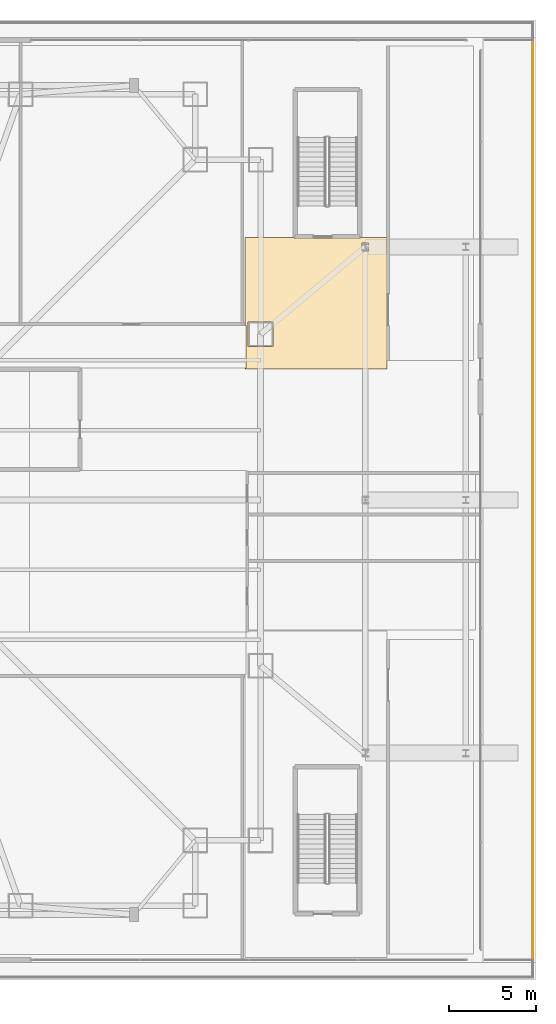
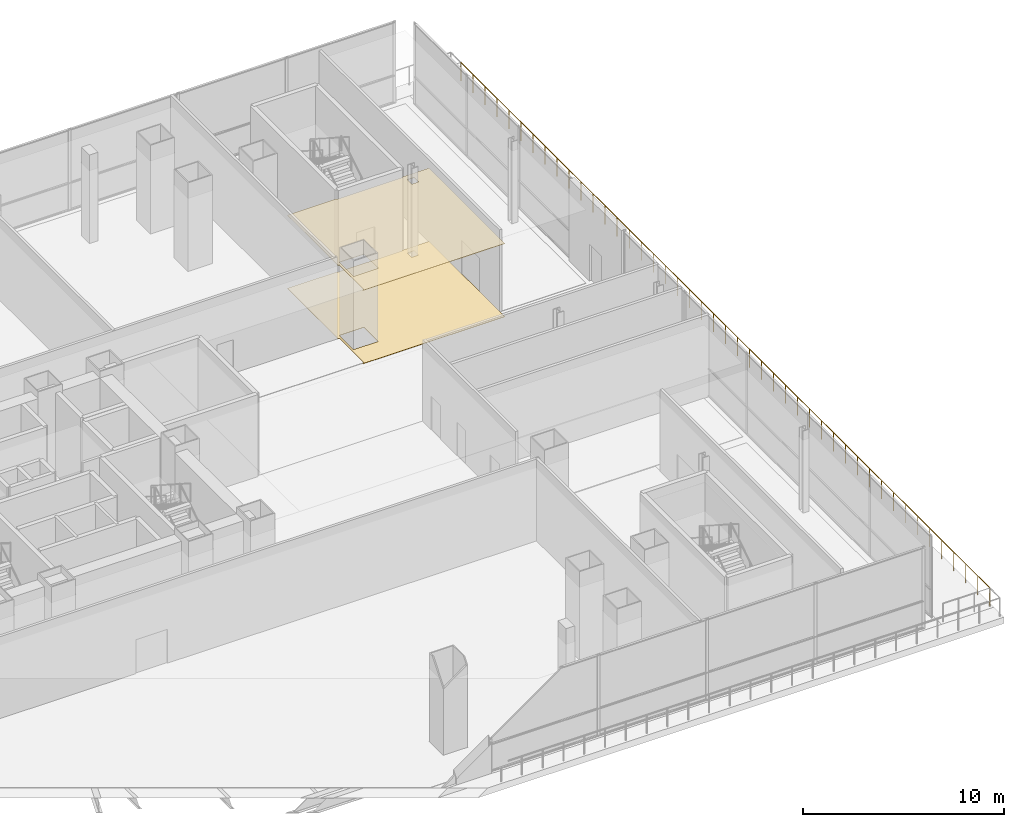
# One storey, part 34 of 35: 2 coverings, 1 railing.
"""IFC4 building model written with IfcOpenShell, lengths in metres."""

from ifc_helpers import new_model, si_unit, direction, frame, origin, origin_2d, place, context, subcontext, project, spatial, polyline, circle, outline, extrude, material, layer, layer_set, type_object, element, save


model = new_model("IFC4")

# Units and contexts
model_context = context("Model", 3, precision=1e-05, world=origin(), true_north=direction((0.0, 1.0)))
body_context = subcontext(model_context, "Body", "Model", "MODEL_VIEW")
ifc_project = project(units=[si_unit("LENGTHUNIT", "METRE"), si_unit("AREAUNIT", "SQUARE_METRE"), si_unit("VOLUMEUNIT", "CUBIC_METRE"), si_unit("PLANEANGLEUNIT", "RADIAN"), si_unit("MASSUNIT", "GRAM", prefix="KILO")], contexts=[model_context])

# Site, building, storey
site_placement = place(None, origin())
site = spatial("IfcSite", under=ifc_project, at=site_placement, CompositionType="ELEMENT")
building_placement = place(site_placement, origin())
building = spatial("IfcBuilding", under=site, at=building_placement, Name="Trevonay Congress Spire", CompositionType="ELEMENT")
storey_placement = place(building_placement, frame((0.0, 0.0, 10.800048828125)))
storey = spatial("IfcBuildingStorey", under=building, at=storey_placement, Name="L02", CompositionType="ELEMENT", Elevation=10.800048828125)

# Coverings
ifc_material_1 = material(Name="Acoustic Mineral Fibre Board", Category="gypsum")
ifc_layer_1 = layer(ifc_material_1, 0.02490234375, Name="Acoustic Mineral Fibre Board")
ifc_layer_set_1 = layer_set([ifc_layer_1], Name="Acoustic Mineral Fibre Board")
covering_type_1 = type_object("IfcCoveringType", Name="COV-CEIL-ACOUSTIC", PredefinedType="CEILING", material=ifc_layer_set_1)
covering_1_placement = place(storey_placement, frame((0.0, 0.0, 4.449951171875)))
element("IfcCovering", 1, at=covering_1_placement, inside=storey, type_object=covering_type_1, Name="L02 L02 Stair Lobby NE acoustic suspended ceiling", PredefinedType="CEILING", context=body_context, shape_type="SweptSolid", body=[
    extrude(outline(polyline([(28.97998046875, 15.02001953125), (28.97998046875, 15.050048828125), (30.5, 15.050048828125), (30.5, 7.5), (22.35009765625, 7.5), (22.35009765625, 7.550048828125), (22.419921875, 7.550048828125), (22.419921875, 10.0), (22.35009765625, 10.0), (22.35009765625, 15.050048828125), (25.169921875, 15.050048828125), (25.169921875, 15.02001953125), (28.97998046875, 15.02001953125)]), holes=[polyline([(23.9599609375, 8.7900390625), (23.9599609375, 10.2099609375), (22.5400390625, 10.2099609375), (22.5400390625, 8.7900390625), (23.9599609375, 8.7900390625)]), polyline([(29.444091796875, 14.277587890625), (29.444091796875, 14.722412109375), (29.055908203125, 14.722412109375), (29.055908203125, 14.277587890625), (29.444091796875, 14.277587890625)])]), origin(), (0.0, 0.0, 1.0), 0.02490234375),
])
ifc_material_2 = material(Name="Polished Granite Floor Tile", Category="masonry")
ifc_layer_2 = layer(ifc_material_2, 0.02001953125, Name="Polished Granite Floor Tile")
ifc_layer_set_2 = layer_set([ifc_layer_2], Name="Polished Granite Floor Tile")
covering_type_2 = type_object("IfcCoveringType", Name="COV-FLOOR-STONE", PredefinedType="FLOORING", material=ifc_layer_set_2)
covering_2_placement = place(storey_placement, origin())
element("IfcCovering", 2, at=covering_2_placement, inside=storey, type_object=covering_type_2, Name="L02 L02 Stair Lobby NE floor finish", PredefinedType="FLOORING", context=body_context, shape_type="SweptSolid", body=[
    extrude(outline(polyline([(28.97998046875, 15.02001953125), (28.97998046875, 15.050048828125), (30.5, 15.050048828125), (30.5, 7.5), (22.35009765625, 7.5), (22.35009765625, 7.550048828125), (22.419921875, 7.550048828125), (22.419921875, 10.0), (22.35009765625, 10.0), (22.35009765625, 15.050048828125), (25.169921875, 15.050048828125), (25.169921875, 15.02001953125), (28.97998046875, 15.02001953125)]), holes=[polyline([(23.9599609375, 8.7900390625), (23.9599609375, 10.2099609375), (22.5400390625, 10.2099609375), (22.5400390625, 8.7900390625), (23.9599609375, 8.7900390625)]), polyline([(29.444091796875, 14.277587890625), (29.444091796875, 14.722412109375), (29.055908203125, 14.722412109375), (29.055908203125, 14.277587890625), (29.444091796875, 14.277587890625)])]), origin(), (0.0, 0.0, 1.0), 0.02001953125),
])

# Railing
ifc_material_3 = material(Name="Pale Anodised Aluminium EN AW-6063-T6", Category="aluminium")
railing_type = type_object("IfcRailingType", Name="RAL-EXT-GUARD-115", PredefinedType="GUARDRAIL", material=ifc_material_3)
railing_placement = place(storey_placement, frame((38.85009765625, -26.35009765625, 0.0)))
element("IfcRailing", 3, at=railing_placement, inside=storey, type_object=railing_type, Name="L02 perimeter safety guard GRD-L02-TER-E-2", PredefinedType="GUARDRAIL", context=body_context, shape_type="SweptSolid", body=[
    extrude(circle(Radius=0.02392578125, at=origin_2d()), frame((0.0, 0.0, 1.1259765625), z_axis=(0.0, 1.0, 0.0), x_axis=(-1.0, 0.0, 0.0)), (0.0, 0.0, 1.0), 52.7001953125),
    extrude(circle(Radius=0.02099609375, at=origin_2d()), origin(), (0.0, 0.0, 1.0), 1.101806640625),
    extrude(circle(Radius=0.02099609375, at=origin_2d()), frame((0.0, 1.19775390625, 0.0)), (0.0, 0.0, 1.0), 1.101806640625),
    extrude(circle(Radius=0.02099609375, at=origin_2d()), frame((0.0, 2.3955078125, 0.0)), (0.0, 0.0, 1.0), 1.101806640625),
    extrude(circle(Radius=0.02099609375, at=origin_2d()), frame((0.0, 3.59326171875, 0.0)), (0.0, 0.0, 1.0), 1.101806640625),
    extrude(circle(Radius=0.02099609375, at=origin_2d()), frame((0.0, 4.791015625, 0.0)), (0.0, 0.0, 1.0), 1.101806640625),
    extrude(circle(Radius=0.02099609375, at=origin_2d()), frame((0.0, 5.98876953125, 0.0)), (0.0, 0.0, 1.0), 1.101806640625),
    extrude(circle(Radius=0.02099609375, at=origin_2d()), frame((0.0, 7.186279296875, 0.0)), (0.0, 0.0, 1.0), 1.101806640625),
    extrude(circle(Radius=0.02099609375, at=origin_2d()), frame((0.0, 8.384033203125, 0.0)), (0.0, 0.0, 1.0), 1.101806640625),
    extrude(circle(Radius=0.02099609375, at=origin_2d()), frame((0.0, 9.581787109375, 0.0)), (0.0, 0.0, 1.0), 1.101806640625),
    extrude(circle(Radius=0.02099609375, at=origin_2d()), frame((0.0, 10.779541015625, 0.0)), (0.0, 0.0, 1.0), 1.101806640625),
    extrude(circle(Radius=0.02099609375, at=origin_2d()), frame((0.0, 11.977294921875, 0.0)), (0.0, 0.0, 1.0), 1.101806640625),
    extrude(circle(Radius=0.02099609375, at=origin_2d()), frame((0.0, 13.175048828125, 0.0)), (0.0, 0.0, 1.0), 1.101806640625),
    extrude(circle(Radius=0.02099609375, at=origin_2d()), frame((0.0, 14.372802734375, 0.0)), (0.0, 0.0, 1.0), 1.101806640625),
    extrude(circle(Radius=0.02099609375, at=origin_2d()), frame((0.0, 15.570556640625, 0.0)), (0.0, 0.0, 1.0), 1.101806640625),
    extrude(circle(Radius=0.02099609375, at=origin_2d()), frame((0.0, 16.768310546875, 0.0)), (0.0, 0.0, 1.0), 1.101806640625),
    extrude(circle(Radius=0.02099609375, at=origin_2d()), frame((0.0, 17.966064453125, 0.0)), (0.0, 0.0, 1.0), 1.101806640625),
    extrude(circle(Radius=0.02099609375, at=origin_2d()), frame((0.0, 19.163818359375, 0.0)), (0.0, 0.0, 1.0), 1.101806640625),
    extrude(circle(Radius=0.02099609375, at=origin_2d()), frame((0.0, 20.361328125, 0.0)), (0.0, 0.0, 1.0), 1.101806640625),
    extrude(circle(Radius=0.02099609375, at=origin_2d()), frame((0.0, 21.55908203125, 0.0)), (0.0, 0.0, 1.0), 1.101806640625),
    extrude(circle(Radius=0.02099609375, at=origin_2d()), frame((0.0, 22.7568359375, 0.0)), (0.0, 0.0, 1.0), 1.101806640625),
    extrude(circle(Radius=0.02099609375, at=origin_2d()), frame((0.0, 23.95458984375, 0.0)), (0.0, 0.0, 1.0), 1.101806640625),
    extrude(circle(Radius=0.02099609375, at=origin_2d()), frame((0.0, 25.15234375, 0.0)), (0.0, 0.0, 1.0), 1.101806640625),
    extrude(circle(Radius=0.02099609375, at=origin_2d()), frame((0.0, 26.35009765625, 0.0)), (0.0, 0.0, 1.0), 1.101806640625),
    extrude(circle(Radius=0.02099609375, at=origin_2d()), frame((0.0, 27.5478515625, 0.0)), (0.0, 0.0, 1.0), 1.101806640625),
    extrude(circle(Radius=0.02099609375, at=origin_2d()), frame((0.0, 28.74560546875, 0.0)), (0.0, 0.0, 1.0), 1.101806640625),
    extrude(circle(Radius=0.02099609375, at=origin_2d()), frame((0.0, 29.943359375, 0.0)), (0.0, 0.0, 1.0), 1.101806640625),
    extrude(circle(Radius=0.02099609375, at=origin_2d()), frame((0.0, 31.14111328125, 0.0)), (0.0, 0.0, 1.0), 1.101806640625),
    extrude(circle(Radius=0.02099609375, at=origin_2d()), frame((0.0, 32.3388671875, 0.0)), (0.0, 0.0, 1.0), 1.101806640625),
    extrude(circle(Radius=0.02099609375, at=origin_2d()), frame((0.0, 33.536376953125, 0.0)), (0.0, 0.0, 1.0), 1.101806640625),
    extrude(circle(Radius=0.02099609375, at=origin_2d()), frame((0.0, 34.734130859375, 0.0)), (0.0, 0.0, 1.0), 1.101806640625),
    extrude(circle(Radius=0.02099609375, at=origin_2d()), frame((0.0, 35.931884765625, 0.0)), (0.0, 0.0, 1.0), 1.101806640625),
    extrude(circle(Radius=0.02099609375, at=origin_2d()), frame((0.0, 37.129638671875, 0.0)), (0.0, 0.0, 1.0), 1.101806640625),
    extrude(circle(Radius=0.02099609375, at=origin_2d()), frame((0.0, 38.327392578125, 0.0)), (0.0, 0.0, 1.0), 1.101806640625),
    extrude(circle(Radius=0.02099609375, at=origin_2d()), frame((0.0, 39.525146484375, 0.0)), (0.0, 0.0, 1.0), 1.101806640625),
    extrude(circle(Radius=0.02099609375, at=origin_2d()), frame((0.0, 40.722900390625, 0.0)), (0.0, 0.0, 1.0), 1.101806640625),
    extrude(circle(Radius=0.02099609375, at=origin_2d()), frame((0.0, 41.920654296875, 0.0)), (0.0, 0.0, 1.0), 1.101806640625),
    extrude(circle(Radius=0.02099609375, at=origin_2d()), frame((0.0, 43.118408203125, 0.0)), (0.0, 0.0, 1.0), 1.101806640625),
    extrude(circle(Radius=0.02099609375, at=origin_2d()), frame((0.0, 44.316162109375, 0.0)), (0.0, 0.0, 1.0), 1.101806640625),
    extrude(circle(Radius=0.02099609375, at=origin_2d()), frame((0.0, 45.513916015625, 0.0)), (0.0, 0.0, 1.0), 1.101806640625),
    extrude(circle(Radius=0.02099609375, at=origin_2d()), frame((0.0, 46.71142578125, 0.0)), (0.0, 0.0, 1.0), 1.101806640625),
    extrude(circle(Radius=0.02099609375, at=origin_2d()), frame((0.0, 47.9091796875, 0.0)), (0.0, 0.0, 1.0), 1.101806640625),
    extrude(circle(Radius=0.02099609375, at=origin_2d()), frame((0.0, 49.10693359375, 0.0)), (0.0, 0.0, 1.0), 1.101806640625),
    extrude(circle(Radius=0.02099609375, at=origin_2d()), frame((0.0, 50.3046875, 0.0)), (0.0, 0.0, 1.0), 1.101806640625),
    extrude(circle(Radius=0.02099609375, at=origin_2d()), frame((0.0, 51.50244140625, 0.0)), (0.0, 0.0, 1.0), 1.101806640625),
    extrude(circle(Radius=0.02099609375, at=origin_2d()), frame((0.0, 52.7001953125, 0.0)), (0.0, 0.0, 1.0), 1.101806640625),
])

save(model, "model.ifc")
